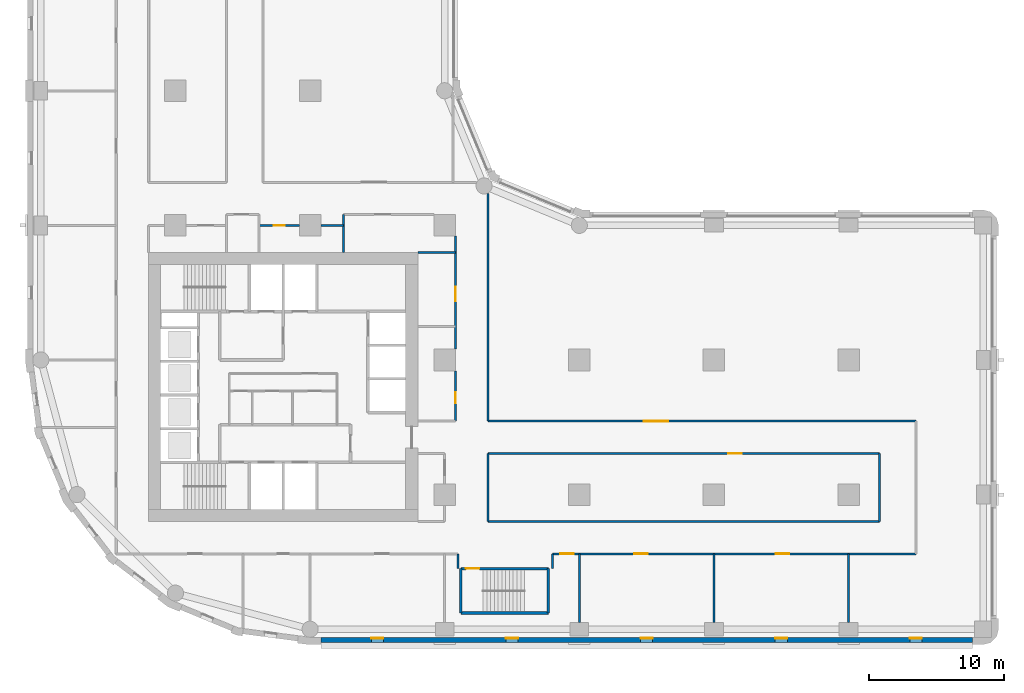
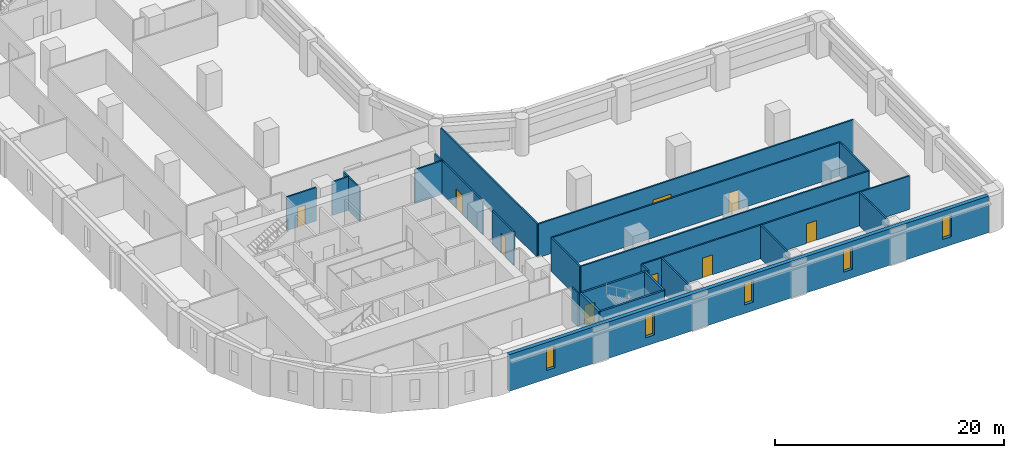
# One storey, part 4 of 10: 23 walls, 9 doors, 5 windows, 14 openings.
"""IFC4 building model written with IfcOpenShell, lengths in metres."""

from ifc_helpers import new_model, si_unit, direction, frame, frame_2d, origin, place, context, subcontext, project, spatial, rectangle, extrude, material, layer, layer_set, type_object, element, fill, save


model = new_model("IFC4")

# Units and contexts
model_context = context("Model", 3, precision=1e-05, world=origin(), true_north=direction((0.0, 1.0)))
body_context = subcontext(model_context, "Body", "Model", "MODEL_VIEW")
ifc_project = project(units=[si_unit("LENGTHUNIT", "METRE"), si_unit("AREAUNIT", "SQUARE_METRE"), si_unit("VOLUMEUNIT", "CUBIC_METRE"), si_unit("PLANEANGLEUNIT", "RADIAN"), si_unit("MASSUNIT", "GRAM", prefix="KILO")], contexts=[model_context])

# Site, building, storey
site_placement = place(None, origin())
site = spatial("IfcSite", under=ifc_project, at=site_placement, CompositionType="ELEMENT")
building_placement = place(site_placement, origin())
building = spatial("IfcBuilding", under=site, at=building_placement, Name="Qaws Garden Tower", CompositionType="ELEMENT")
storey_placement = place(building_placement, frame((0.0, 0.0, 51.0)))
storey = spatial("IfcBuildingStorey", under=building, at=storey_placement, Name="L12", CompositionType="ELEMENT", Elevation=51.0)

# Wall, openings, windows
ifc_material_1 = material(Name="Clay facing brick masonry", Category="masonry")
ifc_layer_1 = layer(ifc_material_1, 0.39990234375)
ifc_layer_set_1 = layer_set([ifc_layer_1], Name="Clay facing brick masonry")
wall_type_1 = type_object("IfcWallType", Name="Brick infill wall 400", PredefinedType="SOLIDWALL", material=ifc_layer_set_1)
wall_1_placement = place(storey_placement, frame((20.800048828125, -0.800048828125, 0.0), z_axis=(0.0, 0.0, 1.0), x_axis=(1.0, 0.0, 0.0)))
wall_1 = element("IfcWall", 1, at=wall_1_placement, inside=storey, type_object=wall_type_1, Name="E-L12-infill-00", PredefinedType="SOLIDWALL", context=body_context, shape_type="SweptSolid", body=[
    extrude(rectangle(XDim=48.39990234375, YDim=0.39990234375, at=frame_2d((24.199951171875, 0.0))), origin(), (0.0, 0.0, 1.0), 3.89990234375),
])
opening_1_placement = place(wall_1_placement, frame((3.75, 0.0, 0.89990234375)))
opening_1 = element("IfcOpeningElement", 2, at=opening_1_placement, cuts=wall_1, Name="Opening W09", PredefinedType="OPENING", context=body_context, shape_type="SweptSolid", body=[
    extrude(rectangle(XDim=0.89990234375, YDim=2.35009765625, at=frame_2d((0.449951171875, 1.175048828125))), frame((0.0, 0.2099609375, 0.0), z_axis=(0.0, -1.0, 0.0), x_axis=(1.0, 0.0, 0.0)), (0.0, 0.0, 1.0), 0.419921875),
])
opening_2_placement = place(wall_1_placement, frame((13.75, 0.0, 0.89990234375)))
opening_2 = element("IfcOpeningElement", 3, at=opening_2_placement, cuts=wall_1, Name="Opening W09", PredefinedType="OPENING", context=body_context, shape_type="SweptSolid", body=[
    extrude(rectangle(XDim=0.89990234375, YDim=2.35009765625, at=frame_2d((0.449951171875, 1.175048828125))), frame((0.0, 0.2099609375, 0.0), z_axis=(0.0, -1.0, 0.0), x_axis=(1.0, 0.0, 0.0)), (0.0, 0.0, 1.0), 0.419921875),
])
opening_3_placement = place(wall_1_placement, frame((23.75, 0.0, 0.89990234375)))
opening_3 = element("IfcOpeningElement", 4, at=opening_3_placement, cuts=wall_1, Name="Opening W09", PredefinedType="OPENING", context=body_context, shape_type="SweptSolid", body=[
    extrude(rectangle(XDim=0.89990234375, YDim=2.35009765625, at=frame_2d((0.449951171875, 1.175048828125))), frame((0.0, 0.2099609375, 0.0), z_axis=(0.0, -1.0, 0.0), x_axis=(1.0, 0.0, 0.0)), (0.0, 0.0, 1.0), 0.419921875),
])
opening_4_placement = place(wall_1_placement, frame((33.75, 0.0, 0.89990234375)))
opening_4 = element("IfcOpeningElement", 5, at=opening_4_placement, cuts=wall_1, Name="Opening W09", PredefinedType="OPENING", context=body_context, shape_type="SweptSolid", body=[
    extrude(rectangle(XDim=0.89990234375, YDim=2.35009765625, at=frame_2d((0.449951171875, 1.175048828125))), frame((0.0, 0.2099609375, 0.0), z_axis=(0.0, -1.0, 0.0), x_axis=(1.0, 0.0, 0.0)), (0.0, 0.0, 1.0), 0.419921875),
])
opening_5_placement = place(wall_1_placement, frame((43.75, 0.0, 0.89990234375)))
opening_5 = element("IfcOpeningElement", 6, at=opening_5_placement, cuts=wall_1, Name="Opening W09", PredefinedType="OPENING", context=body_context, shape_type="SweptSolid", body=[
    extrude(rectangle(XDim=0.89990234375, YDim=2.35009765625, at=frame_2d((0.449951171875, 1.175048828125))), frame((0.0, 0.2099609375, 0.0), z_axis=(0.0, -1.0, 0.0), x_axis=(1.0, 0.0, 0.0)), (0.0, 0.0, 1.0), 0.419921875),
])
ifc_material_2 = material(Name="Aluminium framed window, clear glazing", Category="aluminium")
window_type = type_object("IfcWindowType", Name="Slit window 900 x 2350", PartitioningType="SINGLE_PANEL", PredefinedType="WINDOW", material=ifc_material_2)
window_1_placement = place(opening_1_placement, origin())
window_1 = element("IfcWindow", 7, at=window_1_placement, inside=storey, type_object=window_type, Name="E-L12-window-00-0", OverallHeight=2.35009765625, OverallWidth=0.89990234375, PartitioningType="SINGLE_PANEL", PredefinedType="WINDOW", context=body_context, shape_type="SweptSolid", body=[
    extrude(rectangle(XDim=0.89990234375, YDim=2.35009765625, at=frame_2d((0.449951171875, 1.175048828125))), frame((0.0, 0.159912109375, 0.0), z_axis=(0.0, -1.0, 0.0), x_axis=(1.0, 0.0, 0.0)), (0.0, 0.0, 1.0), 0.06005859375),
])
fill(opening_1, window_1)
window_2_placement = place(opening_2_placement, origin())
window_2 = element("IfcWindow", 8, at=window_2_placement, inside=storey, type_object=window_type, Name="E-L12-window-01-0", OverallHeight=2.35009765625, OverallWidth=0.89990234375, PartitioningType="SINGLE_PANEL", PredefinedType="WINDOW", context=body_context, shape_type="SweptSolid", body=[
    extrude(rectangle(XDim=0.89990234375, YDim=2.35009765625, at=frame_2d((0.449951171875, 1.175048828125))), frame((0.0, 0.159912109375, 0.0), z_axis=(0.0, -1.0, 0.0), x_axis=(1.0, 0.0, 0.0)), (0.0, 0.0, 1.0), 0.06005859375),
])
fill(opening_2, window_2)
window_3_placement = place(opening_3_placement, origin())
window_3 = element("IfcWindow", 9, at=window_3_placement, inside=storey, type_object=window_type, Name="E-L12-window-02-0", OverallHeight=2.35009765625, OverallWidth=0.89990234375, PartitioningType="SINGLE_PANEL", PredefinedType="WINDOW", context=body_context, shape_type="SweptSolid", body=[
    extrude(rectangle(XDim=0.89990234375, YDim=2.35009765625, at=frame_2d((0.449951171875, 1.175048828125))), frame((0.0, 0.159912109375, 0.0), z_axis=(0.0, -1.0, 0.0), x_axis=(1.0, 0.0, 0.0)), (0.0, 0.0, 1.0), 0.06005859375),
])
fill(opening_3, window_3)
window_4_placement = place(opening_4_placement, origin())
window_4 = element("IfcWindow", 10, at=window_4_placement, inside=storey, type_object=window_type, Name="E-L12-window-03-0", OverallHeight=2.35009765625, OverallWidth=0.89990234375, PartitioningType="SINGLE_PANEL", PredefinedType="WINDOW", context=body_context, shape_type="SweptSolid", body=[
    extrude(rectangle(XDim=0.89990234375, YDim=2.35009765625, at=frame_2d((0.449951171875, 1.175048828125))), frame((0.0, 0.159912109375, 0.0), z_axis=(0.0, -1.0, 0.0), x_axis=(1.0, 0.0, 0.0)), (0.0, 0.0, 1.0), 0.06005859375),
])
fill(opening_4, window_4)
window_5_placement = place(opening_5_placement, origin())
window_5 = element("IfcWindow", 11, at=window_5_placement, inside=storey, type_object=window_type, Name="E-L12-window-04-0", OverallHeight=2.35009765625, OverallWidth=0.89990234375, PartitioningType="SINGLE_PANEL", PredefinedType="WINDOW", context=body_context, shape_type="SweptSolid", body=[
    extrude(rectangle(XDim=0.89990234375, YDim=2.35009765625, at=frame_2d((0.449951171875, 1.175048828125))), frame((0.0, 0.159912109375, 0.0), z_axis=(0.0, -1.0, 0.0), x_axis=(1.0, 0.0, 0.0)), (0.0, 0.0, 1.0), 0.06005859375),
])
fill(opening_5, window_5)

# Wall
ifc_material_3 = material(Name="Concrete C80", Category="concrete")
ifc_layer_2 = layer(ifc_material_3, 0.199951171875)
ifc_layer_set_2 = layer_set([ifc_layer_2], Name="Concrete C80")
wall_type_2 = type_object("IfcWallType", Name="Core shaft wall 200 C80", PredefinedType="SHEAR", material=ifc_layer_set_2)
wall_2_placement = place(storey_placement, frame((31.199951171875, 1.199951171875, 0.0), z_axis=(0.0, 0.0, 1.0), x_axis=(1.0, 0.0, 0.0)))
element("IfcWall", 12, at=wall_2_placement, inside=storey, type_object=wall_type_2, Name="Shaft wall", PredefinedType="SHEAR", context=body_context, shape_type="SweptSolid", body=[
    extrude(rectangle(XDim=6.5, YDim=0.199951171875, at=frame_2d((3.25, 0.0))), origin(), (0.0, 0.0, 1.0), 3.580078125),
])

# Wall, opening, door
wall_3_placement = place(storey_placement, frame((31.199951171875, 4.5, 0.0), z_axis=(0.0, 0.0, 1.0), x_axis=(1.0, 0.0, 0.0)))
wall_3 = element("IfcWall", 13, at=wall_3_placement, inside=storey, type_object=wall_type_2, Name="Shaft wall", PredefinedType="SHEAR", context=body_context, shape_type="SweptSolid", body=[
    extrude(rectangle(XDim=6.5, YDim=0.199951171875, at=frame_2d((3.25, 0.0))), origin(), (0.0, 0.0, 1.0), 3.580078125),
])
opening_6_placement = place(wall_3_placement, frame((0.375, 0.0, 0.0)))
opening_6 = element("IfcOpeningElement", 14, at=opening_6_placement, cuts=wall_3, Name="Opening SD12", PredefinedType="OPENING", context=body_context, shape_type="SweptSolid", body=[
    extrude(rectangle(XDim=1.0, YDim=2.10009765625, at=frame_2d((0.5, 1.050048828125))), frame((0.0, 0.10986328125, 0.0), z_axis=(0.0, -1.0, 0.0), x_axis=(1.0, 0.0, 0.0)), (0.0, 0.0, 1.0), 0.219970703125),
])
ifc_material_4 = material(Name="Steel S235", Category="steel")
door_type_1 = type_object("IfcDoorType", Name="Stair door 1000x2100", OperationType="SINGLE_SWING_RIGHT", PredefinedType="DOOR", material=ifc_material_4)
door_1_placement = place(opening_6_placement, frame((1.0, 0.0, 0.0), z_axis=(0.0, 0.0, 1.0), x_axis=(-1.0, 0.0, 0.0)))
door_1 = element("IfcDoor", 15, at=door_1_placement, inside=storey, type_object=door_type_1, Name="Stair 5 door", OperationType="SINGLE_SWING_RIGHT", OverallHeight=2.10009765625, OverallWidth=1.0, PredefinedType="DOOR", context=body_context, shape_type="SweptSolid", body=[
    extrude(rectangle(XDim=1.0, YDim=2.10009765625, at=frame_2d((0.5, 1.050048828125))), frame((0.0, 0.02490234375, 0.0), z_axis=(0.0, -1.0, 0.0), x_axis=(1.0, 0.0, 0.0)), (0.0, 0.0, 1.0), 0.050048828125),
])
fill(opening_6, door_1)

# Walls
for number, where, z_axis, x_axis, name in (
    (16, (31.199951171875, 1.199951171875, 0.0), (0.0, 0.0, 1.0), (0.0, 1.0, 0.0), "Shaft wall"),
    (17, (37.699951171875, 1.199951171875, 0.0), (0.0, 0.0, 1.0), (0.0, 1.0, 0.0), "Shaft wall"),
):
    element("IfcWall", number, at=place(storey_placement, frame(where, z_axis=z_axis, x_axis=x_axis)), inside=storey, type_object=wall_type_2, Name=name, PredefinedType="SHEAR", context=body_context, shape_type="SweptSolid", body=[
        extrude(rectangle(XDim=3.300048828125, YDim=0.199951171875, at=frame_2d((1.64990234375, 0.0))), origin(), (0.0, 0.0, 1.0), 3.580078125),
    ])
ifc_material_5 = material(Name="Gypsum board partition")
ifc_layer_3 = layer(ifc_material_5, 0.14990234375)
ifc_layer_set_3 = layer_set([ifc_layer_3], Name="Gypsum board partition")
wall_type_3 = type_object("IfcWallType", Name="PARTITION 150 EI 60", PredefinedType="PARTITIONING", material=ifc_layer_set_3)
wall_4_placement = place(storey_placement, frame((22.5, 28.0, 0.0), z_axis=(0.0, 0.0, 1.0), x_axis=(0.0, 1.0, 0.0)))
element("IfcWall", 18, at=wall_4_placement, inside=storey, type_object=wall_type_3, Name="O-L12-wall-012", PredefinedType="PARTITIONING", context=body_context, shape_type="SweptSolid", body=[
    extrude(rectangle(XDim=2.800048828125, YDim=0.14990234375, at=frame_2d((1.39990234375, 0.0))), origin(), (0.0, 0.0, 1.0), 3.580078125),
])

# Wall, opening, door
wall_5_placement = place(storey_placement, frame((30.800048828125, 15.449951171875, 0.0), z_axis=(0.0, 0.0, 1.0), x_axis=(0.0, 1.0, 0.0)))
wall_5 = element("IfcWall", 19, at=wall_5_placement, inside=storey, type_object=wall_type_3, Name="O-L12-wall-018", PredefinedType="PARTITIONING", context=body_context, shape_type="SweptSolid", body=[
    extrude(rectangle(XDim=3.75, YDim=0.14990234375, at=frame_2d((1.875, 0.0))), origin(), (0.0, 0.0, 1.0), 3.580078125),
])
opening_7_placement = place(wall_5_placement, frame((1.35009765625, 0.0, 0.0)))
opening_7 = element("IfcOpeningElement", 20, at=opening_7_placement, cuts=wall_5, Name="Opening A408", PredefinedType="OPENING", context=body_context, shape_type="SweptSolid", body=[
    extrude(rectangle(XDim=0.800048828125, YDim=2.10009765625, at=frame_2d((0.39990234375, 1.050048828125))), frame((0.0, 0.0849609375, 0.0), z_axis=(0.0, -1.0, 0.0), x_axis=(1.0, 0.0, 0.0)), (0.0, 0.0, 1.0), 0.169921875),
])
ifc_material_6 = material(Name="Timber door leaf", Category="wood")
door_type_2 = type_object("IfcDoorType", Name="STORE DOOR 800 X 2100", OperationType="SINGLE_SWING_LEFT", PredefinedType="DOOR", material=ifc_material_6)
door_2_placement = place(opening_7_placement, origin())
door_2 = element("IfcDoor", 21, at=door_2_placement, inside=storey, type_object=door_type_2, Name="O-L12-door-008", OperationType="SINGLE_SWING_LEFT", OverallHeight=2.10009765625, OverallWidth=0.800048828125, PredefinedType="DOOR", context=body_context, shape_type="SweptSolid", body=[
    extrude(rectangle(XDim=0.800048828125, YDim=2.10009765625, at=frame_2d((0.39990234375, 1.050048828125))), frame((0.0, 0.02490234375, 0.0), z_axis=(0.0, -1.0, 0.0), x_axis=(1.0, 0.0, 0.0)), (0.0, 0.0, 1.0), 0.050048828125),
])
fill(opening_7, door_2)

wall_6_placement = place(storey_placement, frame((30.800048828125, 20.800048828125, 0.0), z_axis=(0.0, 0.0, 1.0), x_axis=(0.0, 1.0, 0.0)))
wall_6 = element("IfcWall", 22, at=wall_6_placement, inside=storey, type_object=wall_type_3, Name="O-L12-wall-019", PredefinedType="PARTITIONING", context=body_context, shape_type="SweptSolid", body=[
    extrude(rectangle(XDim=8.39990234375, YDim=0.14990234375, at=frame_2d((4.199951171875, 0.0))), origin(), (0.0, 0.0, 1.0), 3.580078125),
])
opening_8_placement = place(wall_6_placement, frame((3.550048828125, 0.0, 0.0)))
opening_8 = element("IfcOpeningElement", 23, at=opening_8_placement, cuts=wall_6, Name="Opening A409", PredefinedType="OPENING", context=body_context, shape_type="SweptSolid", body=[
    extrude(rectangle(XDim=1.10009765625, YDim=2.10009765625, at=frame_2d((0.550048828125, 1.050048828125))), frame((0.0, 0.0849609375, 0.0), z_axis=(0.0, -1.0, 0.0), x_axis=(1.0, 0.0, 0.0)), (0.0, 0.0, 1.0), 0.169921875),
])
ifc_material_7 = material(Name="Timber door leaf", Category="wood")
door_type_3 = type_object("IfcDoorType", Name="SERVICE ROOM DOOR 1100 X 2100", OperationType="SINGLE_SWING_LEFT", PredefinedType="DOOR", material=ifc_material_7)
door_3_placement = place(opening_8_placement, origin())
door_3 = element("IfcDoor", 24, at=door_3_placement, inside=storey, type_object=door_type_3, Name="O-L12-door-009", OperationType="SINGLE_SWING_RIGHT", OverallHeight=2.10009765625, OverallWidth=1.10009765625, PredefinedType="DOOR", context=body_context, shape_type="SweptSolid", body=[
    extrude(rectangle(XDim=1.10009765625, YDim=2.10009765625, at=frame_2d((0.550048828125, 1.050048828125))), frame((0.0, 0.02490234375, 0.0), z_axis=(0.0, -1.0, 0.0), x_axis=(1.0, 0.0, 0.0)), (0.0, 0.0, 1.0), 0.050048828125),
])
fill(opening_8, door_3)

# Walls
wall_7_placement = place(storey_placement, frame((31.0, 4.5, 0.0), z_axis=(0.0, 0.0, 1.0), x_axis=(0.0, 1.0, 0.0)))
element("IfcWall", 25, at=wall_7_placement, inside=storey, type_object=wall_type_3, Name="O-L12-wall-020", PredefinedType="PARTITIONING", context=body_context, shape_type="SweptSolid", body=[
    extrude(rectangle(XDim=1.10009765625, YDim=0.14990234375, at=frame_2d((0.550048828125, 0.0))), origin(), (0.0, 0.0, 1.0), 3.580078125),
])
wall_8_placement = place(storey_placement, frame((33.199951171875, 8.0, 0.0), z_axis=(0.0, 0.0, 1.0), x_axis=(0.0, 1.0, 0.0)))
element("IfcWall", 26, at=wall_8_placement, inside=storey, type_object=wall_type_3, Name="O-L12-wall-021", PredefinedType="PARTITIONING", context=body_context, shape_type="SweptSolid", body=[
    extrude(rectangle(XDim=5.050048828125, YDim=0.14990234375, at=frame_2d((2.52490234375, 0.0))), origin(), (0.0, 0.0, 1.0), 3.580078125),
])
wall_9_placement = place(storey_placement, frame((33.199951171875, 15.449951171875, 0.0), z_axis=(0.0, 0.0, 1.0), x_axis=(0.0, 1.0, 0.0)))
element("IfcWall", 27, at=wall_9_placement, inside=storey, type_object=wall_type_3, Name="O-L12-wall-022", PredefinedType="PARTITIONING", context=body_context, shape_type="SweptSolid", body=[
    extrude(rectangle(XDim=16.912109375, YDim=0.14990234375, at=frame_2d((8.4560546875, 0.0))), origin(), (0.0, 0.0, 1.0), 3.580078125),
])
wall_10_placement = place(storey_placement, frame((38.0, 4.5, 0.0), z_axis=(0.0, 0.0, 1.0), x_axis=(0.0, 1.0, 0.0)))
element("IfcWall", 28, at=wall_10_placement, inside=storey, type_object=wall_type_3, Name="O-L12-wall-023", PredefinedType="PARTITIONING", context=body_context, shape_type="SweptSolid", body=[
    extrude(rectangle(XDim=1.10009765625, YDim=0.14990234375, at=frame_2d((0.550048828125, 0.0))), origin(), (0.0, 0.0, 1.0), 3.580078125),
])
for number, where, z_axis, x_axis, name in (
    (29, (40.0, 0.5, 0.0), (0.0, 0.0, 1.0), (0.0, 1.0, 0.0), "O-L12-wall-024"),
    (30, (50.0, 0.5, 0.0), (0.0, 0.0, 1.0), (0.0, 1.0, 0.0), "O-L12-wall-025"),
    (31, (60.0, 0.5, 0.0), (0.0, 0.0, 1.0), (0.0, 1.0, 0.0), "O-L12-wall-026"),
):
    element("IfcWall", number, at=place(storey_placement, frame(where, z_axis=z_axis, x_axis=x_axis)), inside=storey, type_object=wall_type_3, Name=name, PredefinedType="PARTITIONING", context=body_context, shape_type="SweptSolid", body=[
        extrude(rectangle(XDim=5.10009765625, YDim=0.14990234375, at=frame_2d((2.550048828125, 0.0))), origin(), (0.0, 0.0, 1.0), 3.580078125),
    ])
wall_11_placement = place(storey_placement, frame((62.300048828125, 8.0, 0.0), z_axis=(0.0, 0.0, 1.0), x_axis=(0.0, 1.0, 0.0)))
element("IfcWall", 32, at=wall_11_placement, inside=storey, type_object=wall_type_3, Name="O-L12-wall-027", PredefinedType="PARTITIONING", context=body_context, shape_type="SweptSolid", body=[
    extrude(rectangle(XDim=5.050048828125, YDim=0.14990234375, at=frame_2d((2.52490234375, 0.0))), origin(), (0.0, 0.0, 1.0), 3.580078125),
])

# Wall, openings, doors
wall_12_placement = place(storey_placement, frame((38.0, 5.60009765625, 0.0), z_axis=(0.0, 0.0, 1.0), x_axis=(1.0, 0.0, 0.0)))
wall_12 = element("IfcWall", 33, at=wall_12_placement, inside=storey, type_object=wall_type_3, Name="O-L12-wall-030", PredefinedType="PARTITIONING", context=body_context, shape_type="SweptSolid", body=[
    extrude(rectangle(XDim=27.0, YDim=0.14990234375, at=frame_2d((13.5, 0.0))), origin(), (0.0, 0.0, 1.0), 3.580078125),
])
opening_9_placement = place(wall_12_placement, frame((6.10009765625, 0.0, 0.0)))
opening_9 = element("IfcOpeningElement", 34, at=opening_9_placement, cuts=wall_12, Name="Opening A403", PredefinedType="OPENING", context=body_context, shape_type="SweptSolid", body=[
    extrude(rectangle(XDim=1.0, YDim=2.10009765625, at=frame_2d((0.5, 1.050048828125))), frame((0.0, 0.0849609375, 0.0), z_axis=(0.0, -1.0, 0.0), x_axis=(1.0, 0.0, 0.0)), (0.0, 0.0, 1.0), 0.169921875),
])
opening_10_placement = place(wall_12_placement, frame((16.60009765625, 0.0, 0.0)))
opening_10 = element("IfcOpeningElement", 35, at=opening_10_placement, cuts=wall_12, Name="Opening A404", PredefinedType="OPENING", context=body_context, shape_type="SweptSolid", body=[
    extrude(rectangle(XDim=1.0, YDim=2.10009765625, at=frame_2d((0.5, 1.050048828125))), frame((0.0, 0.0849609375, 0.0), z_axis=(0.0, -1.0, 0.0), x_axis=(1.0, 0.0, 0.0)), (0.0, 0.0, 1.0), 0.169921875),
])
opening_11_placement = place(wall_12_placement, frame((0.60009765625, 0.0, 0.0)))
opening_11 = element("IfcOpeningElement", 36, at=opening_11_placement, cuts=wall_12, Name="Opening A424", PredefinedType="OPENING", context=body_context, shape_type="SweptSolid", body=[
    extrude(rectangle(XDim=1.0, YDim=2.10009765625, at=frame_2d((0.5, 1.050048828125))), frame((0.0, 0.0849609375, 0.0), z_axis=(0.0, -1.0, 0.0), x_axis=(1.0, 0.0, 0.0)), (0.0, 0.0, 1.0), 0.169921875),
])
ifc_material_8 = material(Name="Timber door leaf", Category="wood")
door_type_4 = type_object("IfcDoorType", Name="TENANCY ENTRANCE DOOR 1000 X 2100", OperationType="SINGLE_SWING_LEFT", PredefinedType="DOOR", material=ifc_material_8)
door_4_placement = place(opening_9_placement, frame((1.0, 0.0, 0.0), z_axis=(0.0, 0.0, 1.0), x_axis=(-1.0, 0.0, 0.0)))
door_4 = element("IfcDoor", 37, at=door_4_placement, inside=storey, type_object=door_type_4, Name="O-L12-door-003", OperationType="SINGLE_SWING_RIGHT", OverallHeight=2.10009765625, OverallWidth=1.0, PredefinedType="DOOR", context=body_context, shape_type="SweptSolid", body=[
    extrude(rectangle(XDim=1.0, YDim=2.10009765625, at=frame_2d((0.5, 1.050048828125))), frame((0.0, 0.02490234375, 0.0), z_axis=(0.0, -1.0, 0.0), x_axis=(1.0, 0.0, 0.0)), (0.0, 0.0, 1.0), 0.050048828125),
])
fill(opening_9, door_4)
door_5_placement = place(opening_10_placement, frame((1.0, 0.0, 0.0), z_axis=(0.0, 0.0, 1.0), x_axis=(-1.0, 0.0, 0.0)))
door_5 = element("IfcDoor", 38, at=door_5_placement, inside=storey, type_object=door_type_4, Name="O-L12-door-004", OperationType="SINGLE_SWING_RIGHT", OverallHeight=2.10009765625, OverallWidth=1.0, PredefinedType="DOOR", context=body_context, shape_type="SweptSolid", body=[
    extrude(rectangle(XDim=1.0, YDim=2.10009765625, at=frame_2d((0.5, 1.050048828125))), frame((0.0, 0.02490234375, 0.0), z_axis=(0.0, -1.0, 0.0), x_axis=(1.0, 0.0, 0.0)), (0.0, 0.0, 1.0), 0.050048828125),
])
fill(opening_10, door_5)
door_6_placement = place(opening_11_placement, frame((1.0, 0.0, 0.0), z_axis=(0.0, 0.0, 1.0), x_axis=(-1.0, 0.0, 0.0)))
door_6 = element("IfcDoor", 39, at=door_6_placement, inside=storey, type_object=door_type_4, Name="O-L12-door-024", OperationType="SINGLE_SWING_LEFT", OverallHeight=2.10009765625, OverallWidth=1.0, PredefinedType="DOOR", context=body_context, shape_type="SweptSolid", body=[
    extrude(rectangle(XDim=1.0, YDim=2.10009765625, at=frame_2d((0.5, 1.050048828125))), frame((0.0, 0.02490234375, 0.0), z_axis=(0.0, -1.0, 0.0), x_axis=(1.0, 0.0, 0.0)), (0.0, 0.0, 1.0), 0.050048828125),
])
fill(opening_11, door_6)

# Wall
wall_13_placement = place(storey_placement, frame((33.199951171875, 8.0, 0.0), z_axis=(0.0, 0.0, 1.0), x_axis=(1.0, 0.0, 0.0)))
element("IfcWall", 40, at=wall_13_placement, inside=storey, type_object=wall_type_3, Name="O-L12-wall-032", PredefinedType="PARTITIONING", context=body_context, shape_type="SweptSolid", body=[
    extrude(rectangle(XDim=29.10009765625, YDim=0.14990234375, at=frame_2d((14.550048828125, 0.0))), origin(), (0.0, 0.0, 1.0), 3.580078125),
])

# Wall, opening, door
wall_14_placement = place(storey_placement, frame((33.199951171875, 13.050048828125, 0.0), z_axis=(0.0, 0.0, 1.0), x_axis=(1.0, 0.0, 0.0)))
wall_14 = element("IfcWall", 41, at=wall_14_placement, inside=storey, type_object=wall_type_3, Name="O-L12-wall-034", PredefinedType="PARTITIONING", context=body_context, shape_type="SweptSolid", body=[
    extrude(rectangle(XDim=29.10009765625, YDim=0.14990234375, at=frame_2d((14.550048828125, 0.0))), origin(), (0.0, 0.0, 1.0), 3.580078125),
])
opening_12_placement = place(wall_14_placement, frame((17.85009765625, 0.0, 0.0)))
opening_12 = element("IfcOpeningElement", 42, at=opening_12_placement, cuts=wall_14, Name="Opening A405", PredefinedType="OPENING", context=body_context, shape_type="SweptSolid", body=[
    extrude(rectangle(XDim=1.0, YDim=2.10009765625, at=frame_2d((0.5, 1.050048828125))), frame((0.0, 0.0849609375, 0.0), z_axis=(0.0, -1.0, 0.0), x_axis=(1.0, 0.0, 0.0)), (0.0, 0.0, 1.0), 0.169921875),
])
door_7_placement = place(opening_12_placement, frame((1.0, 0.0, 0.0), z_axis=(0.0, 0.0, 1.0), x_axis=(-1.0, 0.0, 0.0)))
door_7 = element("IfcDoor", 43, at=door_7_placement, inside=storey, type_object=door_type_4, Name="O-L12-door-005", OperationType="SINGLE_SWING_RIGHT", OverallHeight=2.10009765625, OverallWidth=1.0, PredefinedType="DOOR", context=body_context, shape_type="SweptSolid", body=[
    extrude(rectangle(XDim=1.0, YDim=2.10009765625, at=frame_2d((0.5, 1.050048828125))), frame((0.0, 0.02490234375, 0.0), z_axis=(0.0, -1.0, 0.0), x_axis=(1.0, 0.0, 0.0)), (0.0, 0.0, 1.0), 0.050048828125),
])
fill(opening_12, door_7)

wall_15_placement = place(storey_placement, frame((33.199951171875, 15.449951171875, 0.0), z_axis=(0.0, 0.0, 1.0), x_axis=(1.0, 0.0, 0.0)))
wall_15 = element("IfcWall", 44, at=wall_15_placement, inside=storey, type_object=wall_type_3, Name="O-L12-wall-037", PredefinedType="PARTITIONING", context=body_context, shape_type="SweptSolid", body=[
    extrude(rectangle(XDim=31.800048828125, YDim=0.14990234375, at=frame_2d((15.89990234375, 0.0))), origin(), (0.0, 0.0, 1.0), 3.580078125),
])
opening_13_placement = place(wall_15_placement, frame((11.60009765625, 0.0, 0.0)))
opening_13 = element("IfcOpeningElement", 45, at=opening_13_placement, cuts=wall_15, Name="Opening A406", PredefinedType="OPENING", context=body_context, shape_type="SweptSolid", body=[
    extrude(rectangle(XDim=1.800048828125, YDim=2.10009765625, at=frame_2d((0.89990234375, 1.050048828125))), frame((0.0, 0.0849609375, 0.0), z_axis=(0.0, -1.0, 0.0), x_axis=(1.0, 0.0, 0.0)), (0.0, 0.0, 1.0), 0.169921875),
])
ifc_material_9 = material(Name="Timber door leaf", Category="wood")
door_type_5 = type_object("IfcDoorType", Name="DOUBLE DOOR 1800 X 2100", OperationType="DOUBLE_DOOR_SINGLE_SWING", PredefinedType="DOOR", material=ifc_material_9)
door_8_placement = place(opening_13_placement, origin())
door_8 = element("IfcDoor", 46, at=door_8_placement, inside=storey, type_object=door_type_5, Name="O-L12-door-006", OperationType="DOUBLE_DOOR_SINGLE_SWING", OverallHeight=2.10009765625, OverallWidth=1.800048828125, PredefinedType="DOOR", context=body_context, shape_type="SweptSolid", body=[
    extrude(rectangle(XDim=1.800048828125, YDim=2.10009765625, at=frame_2d((0.89990234375, 1.050048828125))), frame((0.0, 0.02490234375, 0.0), z_axis=(0.0, -1.0, 0.0), x_axis=(1.0, 0.0, 0.0)), (0.0, 0.0, 1.0), 0.050048828125),
])
fill(opening_13, door_8)

# Wall
wall_16_placement = place(storey_placement, frame((28.0, 28.0, 0.0), z_axis=(0.0, 0.0, 1.0), x_axis=(1.0, 0.0, 0.0)))
element("IfcWall", 47, at=wall_16_placement, inside=storey, type_object=wall_type_3, Name="O-L12-wall-040", PredefinedType="PARTITIONING", context=body_context, shape_type="SweptSolid", body=[
    extrude(rectangle(XDim=2.800048828125, YDim=0.14990234375, at=frame_2d((1.39990234375, 0.0))), origin(), (0.0, 0.0, 1.0), 3.580078125),
])

# Wall, opening, door
wall_17_placement = place(storey_placement, frame((16.199951171875, 30.0, 0.0), z_axis=(0.0, 0.0, 1.0), x_axis=(1.0, 0.0, 0.0)))
wall_17 = element("IfcWall", 48, at=wall_17_placement, inside=storey, type_object=wall_type_3, Name="O-L12-wall-044", PredefinedType="PARTITIONING", context=body_context, shape_type="SweptSolid", body=[
    extrude(rectangle(XDim=3.0, YDim=0.14990234375, at=frame_2d((1.5, 0.0))), origin(), (0.0, 0.0, 1.0), 3.580078125),
])
opening_14_placement = place(wall_17_placement, frame((1.10009765625, 0.0, 0.0)))
opening_14 = element("IfcOpeningElement", 49, at=opening_14_placement, cuts=wall_17, Name="Opening A411", PredefinedType="OPENING", context=body_context, shape_type="SweptSolid", body=[
    extrude(rectangle(XDim=0.800048828125, YDim=2.10009765625, at=frame_2d((0.39990234375, 1.050048828125))), frame((0.0, 0.0849609375, 0.0), z_axis=(0.0, -1.0, 0.0), x_axis=(1.0, 0.0, 0.0)), (0.0, 0.0, 1.0), 0.169921875),
])
door_9_placement = place(opening_14_placement, frame((0.800048828125, 0.0, 0.0), z_axis=(0.0, 0.0, 1.0), x_axis=(-1.0, 0.0, 0.0)))
door_9 = element("IfcDoor", 50, at=door_9_placement, inside=storey, type_object=door_type_2, Name="O-L12-door-011", OperationType="SINGLE_SWING_RIGHT", OverallHeight=2.10009765625, OverallWidth=0.800048828125, PredefinedType="DOOR", context=body_context, shape_type="SweptSolid", body=[
    extrude(rectangle(XDim=0.800048828125, YDim=2.10009765625, at=frame_2d((0.39990234375, 1.050048828125))), frame((0.0, 0.02490234375, 0.0), z_axis=(0.0, -1.0, 0.0), x_axis=(1.0, 0.0, 0.0)), (0.0, 0.0, 1.0), 0.050048828125),
])
fill(opening_14, door_9)

# Wall
wall_18_placement = place(storey_placement, frame((20.800048828125, 30.0, 0.0), z_axis=(0.0, 0.0, 1.0), x_axis=(1.0, 0.0, 0.0)))
element("IfcWall", 51, at=wall_18_placement, inside=storey, type_object=wall_type_3, Name="O-L12-wall-045", PredefinedType="PARTITIONING", context=body_context, shape_type="SweptSolid", body=[
    extrude(rectangle(XDim=1.699951171875, YDim=0.14990234375, at=frame_2d((0.85009765625, 0.0))), origin(), (0.0, 0.0, 1.0), 3.580078125),
])

save(model, "model.ifc")
